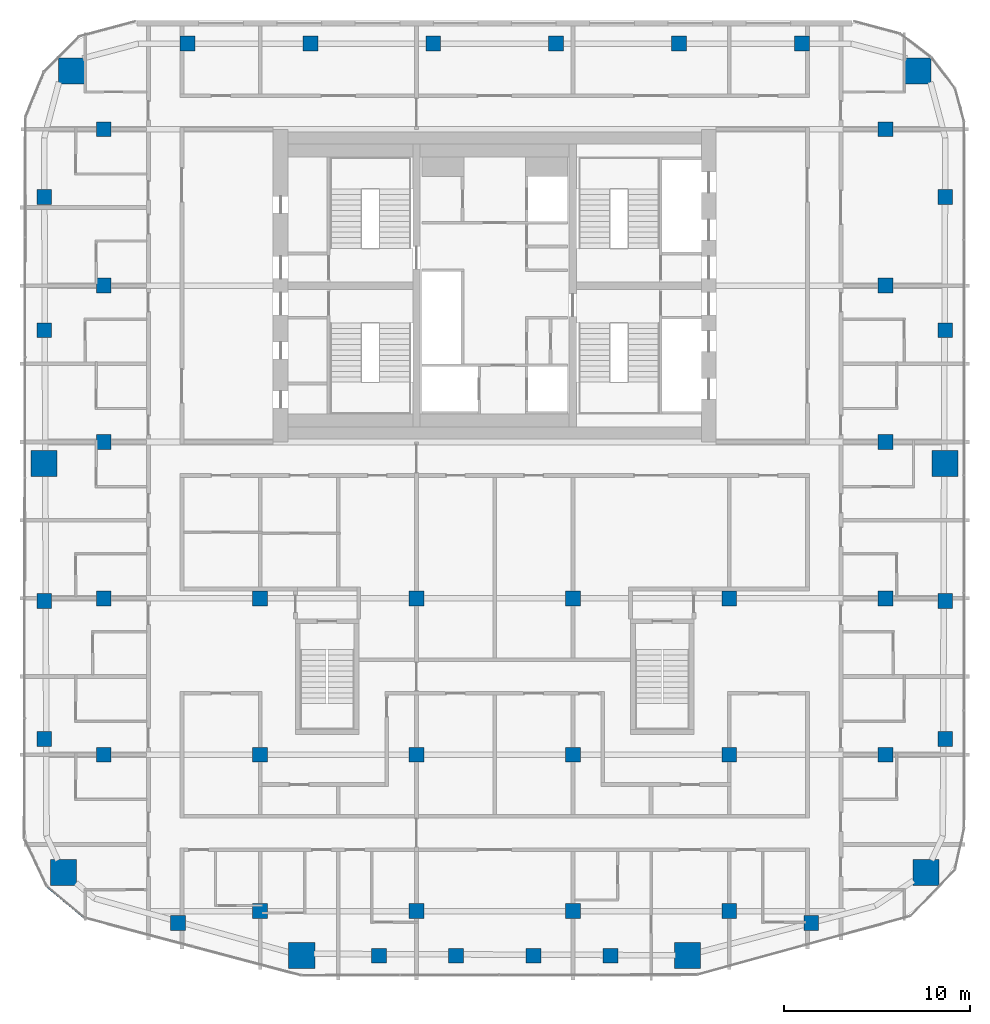
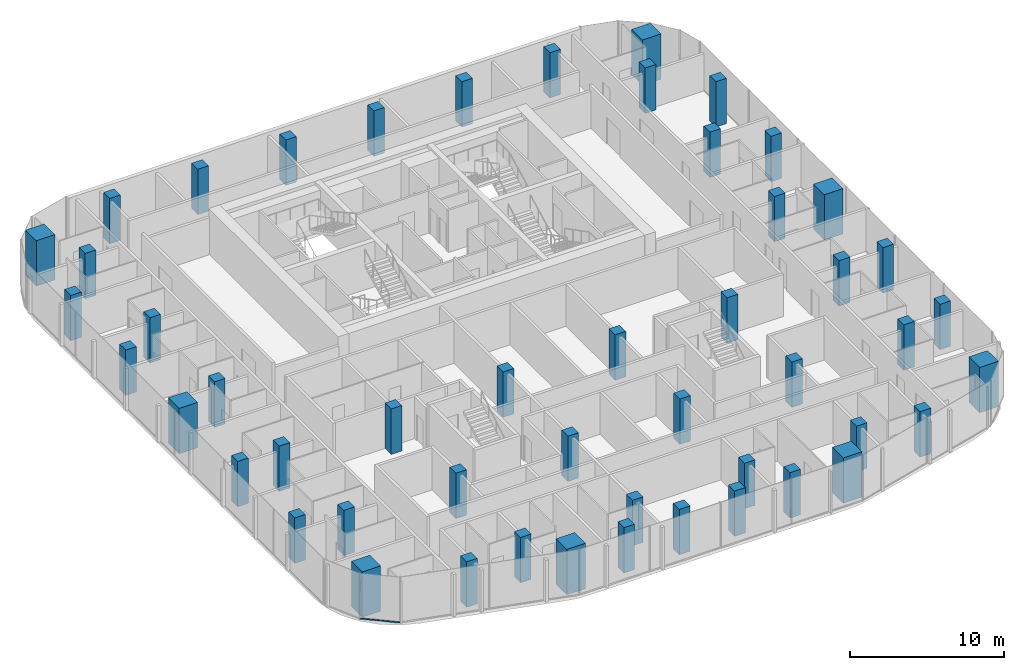
# One storey, part 1 of 22: 50 columns, 1 member, 1 element without a shape of its own.
"""IFC4 building model written with IfcOpenShell, lengths in metres."""

from ifc_helpers import new_model, si_unit, direction, frame, origin, origin_2d, place, context, subcontext, project, spatial, rectangle, extrude, material, layer, layer_set, material_profile, profile_set, type_object, element, aggregate, save


model = new_model("IFC4")

# Units and contexts
model_context = context("Model", 3, precision=1e-05, world=origin(), true_north=direction((0.0, 1.0)))
body_context = subcontext(model_context, "Body", "Model", "MODEL_VIEW")
ifc_project = project(units=[si_unit("LENGTHUNIT", "METRE"), si_unit("AREAUNIT", "SQUARE_METRE"), si_unit("VOLUMEUNIT", "CUBIC_METRE"), si_unit("PLANEANGLEUNIT", "RADIAN"), si_unit("MASSUNIT", "GRAM", prefix="KILO")], contexts=[model_context])

# Site, building, storey
site_placement = place(None, origin())
site = spatial("IfcSite", under=ifc_project, at=site_placement, CompositionType="ELEMENT")
building_placement = place(site_placement, origin())
building = spatial("IfcBuilding", under=site, at=building_placement, Name="Marenta Gate Hotel Tower", CompositionType="ELEMENT")
storey_placement = place(building_placement, frame((0.0, 0.0, 194.89990234375)))
storey = spatial("IfcBuildingStorey", under=building, at=storey_placement, Name="L44", CompositionType="ELEMENT", Elevation=194.89990234375)

# Columns
ifc_material_1 = material(Name="Concrete C60", Category="concrete")
ifc_material_profile_1 = material_profile(ifc_material_1, rectangle(XDim=0.800048828125, YDim=0.800048828125, at=origin_2d()), Name="800 x 800")
ifc_profile_set_1 = profile_set([ifc_material_profile_1], Name="Concrete C60")
column_type_1 = type_object("IfcColumnType", Name="Edge column 800 x 800 C60", PredefinedType="COLUMN", material=ifc_profile_set_1)
for number, where, z_axis, x_axis, name in (
    (1, (-24.199951171875, -15.951904296875, 0.0), (0.0, 0.0, 1.0), (1.0, 0.0, 0.0), "L44-EC-SW-W-1"),
    (2, (-24.199951171875, -8.55078125, 0.0), (0.0, 0.0, 1.0), (1.0, 0.0, 0.0), "L44-EC-SW-W-2"),
    (3, (-24.199951171875, 6.003173828125, 0.0), (0.0, 0.0, 1.0), (1.0, 0.0, 0.0), "L44-EC-W-NW-1"),
    (4, (-24.199951171875, 13.156494140625, 0.0), (0.0, 0.0, 1.0), (1.0, 0.0, 0.0), "L44-EC-W-NW-2"),
    (5, (-16.5068359375, 21.39990234375, 0.0), (0.0, 0.0, 1.0), (1.0, 0.0, 0.0), "L44-EC-NW-NE-1"),
    (6, (-9.904052734375, 21.39990234375, 0.0), (0.0, 0.0, 1.0), (1.0, 0.0, 0.0), "L44-EC-NW-NE-2"),
    (7, (-3.301513671875, 21.39990234375, 0.0), (0.0, 0.0, 1.0), (1.0, 0.0, 0.0), "L44-EC-NW-NE-3"),
    (8, (3.301513671875, 21.39990234375, 0.0), (0.0, 0.0, 1.0), (1.0, 0.0, 0.0), "L44-EC-NW-NE-4"),
    (9, (9.904052734375, 21.39990234375, 0.0), (0.0, 0.0, 1.0), (1.0, 0.0, 0.0), "L44-EC-NW-NE-5"),
    (10, (16.5068359375, 21.39990234375, 0.0), (0.0, 0.0, 1.0), (1.0, 0.0, 0.0), "L44-EC-NW-NE-6"),
    (11, (24.199951171875, 13.156494140625, 0.0), (0.0, 0.0, 1.0), (1.0, 0.0, 0.0), "L44-EC-NE-E-1"),
    (12, (24.199951171875, 6.003173828125, 0.0), (0.0, 0.0, 1.0), (1.0, 0.0, 0.0), "L44-EC-NE-E-2"),
    (13, (24.199951171875, -8.55078125, 0.0), (0.0, 0.0, 1.0), (1.0, 0.0, 0.0), "L44-EC-E-SE-1"),
    (14, (24.199951171875, -15.951904296875, 0.0), (0.0, 0.0, 1.0), (1.0, 0.0, 0.0), "L44-EC-E-SE-2"),
    (15, (17.0068359375, -25.839111328125, 0.0), (0.0, 0.0, 1.0), (1.0, 0.0, 0.0), "L44-EC-SE-SKE-1"),
    (16, (6.22021484375, -27.60009765625, 0.0), (0.0, 0.0, 1.0), (1.0, 0.0, 0.0), "L44-EC-SKE-SKW-1"),
    (17, (2.073486328125, -27.60009765625, 0.0), (0.0, 0.0, 1.0), (1.0, 0.0, 0.0), "L44-EC-SKE-SKW-2"),
    (18, (-2.073486328125, -27.60009765625, 0.0), (0.0, 0.0, 1.0), (1.0, 0.0, 0.0), "L44-EC-SKE-SKW-3"),
    (19, (-6.22021484375, -27.60009765625, 0.0), (0.0, 0.0, 1.0), (1.0, 0.0, 0.0), "L44-EC-SKE-SKW-4"),
    (20, (-17.0068359375, -25.839111328125, 0.0), (0.0, 0.0, 1.0), (1.0, 0.0, 0.0), "L44-EC-SKW-SW-1"),
):
    element("IfcColumn", number, at=place(storey_placement, frame(where, z_axis=z_axis, x_axis=x_axis)), inside=storey, type_object=column_type_1, Name=name, PredefinedType="COLUMN", context=body_context, shape_type="SweptSolid", body=[
        extrude(rectangle(XDim=0.800048828125, YDim=0.800048828125, at=origin_2d()), origin(), (0.0, 0.0, 1.0), 3.60009765625),
    ])
ifc_material_2 = material(Name="Concrete C60", Category="concrete")
ifc_material_profile_2 = material_profile(ifc_material_2, rectangle(XDim=0.800048828125, YDim=0.800048828125, at=origin_2d()), Name="800 x 800")
ifc_profile_set_2 = profile_set([ifc_material_profile_2], Name="Concrete C60")
column_type_2 = type_object("IfcColumnType", Name="Interior column 800 x 800 C60", PredefinedType="COLUMN", material=ifc_profile_set_2)
for number, where, z_axis, x_axis, name in (
    (21, (-21.0, -16.800048828125, 0.0), (0.0, 0.0, 1.0), (1.0, 0.0, 0.0), "L44-IC-4D"),
    (22, (-21.0, -8.39990234375, 0.0), (0.0, 0.0, 1.0), (1.0, 0.0, 0.0), "L44-IC-4E"),
    (23, (-21.0, 0.0, 0.0), (0.0, 0.0, 1.0), (1.0, 0.0, 0.0), "L44-IC-4F"),
    (24, (-21.0, 8.39990234375, 0.0), (0.0, 0.0, 1.0), (1.0, 0.0, 0.0), "L44-IC-4G"),
    (25, (-21.0, 16.800048828125, 0.0), (0.0, 0.0, 1.0), (1.0, 0.0, 0.0), "L44-IC-4H"),
    (26, (-12.60009765625, -25.199951171875, 0.0), (0.0, 0.0, 1.0), (1.0, 0.0, 0.0), "L44-IC-5C"),
    (27, (-12.60009765625, -16.800048828125, 0.0), (0.0, 0.0, 1.0), (1.0, 0.0, 0.0), "L44-IC-5D"),
    (28, (-12.60009765625, -8.39990234375, 0.0), (0.0, 0.0, 1.0), (1.0, 0.0, 0.0), "L44-IC-5E"),
    (29, (-4.199951171875, -25.199951171875, 0.0), (0.0, 0.0, 1.0), (1.0, 0.0, 0.0), "L44-IC-6C"),
    (30, (-4.199951171875, -16.800048828125, 0.0), (0.0, 0.0, 1.0), (1.0, 0.0, 0.0), "L44-IC-6D"),
    (31, (-4.199951171875, -8.39990234375, 0.0), (0.0, 0.0, 1.0), (1.0, 0.0, 0.0), "L44-IC-6E"),
    (32, (4.199951171875, -25.199951171875, 0.0), (0.0, 0.0, 1.0), (1.0, 0.0, 0.0), "L44-IC-7C"),
    (33, (4.199951171875, -16.800048828125, 0.0), (0.0, 0.0, 1.0), (1.0, 0.0, 0.0), "L44-IC-7D"),
    (34, (4.199951171875, -8.39990234375, 0.0), (0.0, 0.0, 1.0), (1.0, 0.0, 0.0), "L44-IC-7E"),
    (35, (12.60009765625, -25.199951171875, 0.0), (0.0, 0.0, 1.0), (1.0, 0.0, 0.0), "L44-IC-8C"),
    (36, (12.60009765625, -16.800048828125, 0.0), (0.0, 0.0, 1.0), (1.0, 0.0, 0.0), "L44-IC-8D"),
    (37, (12.60009765625, -8.39990234375, 0.0), (0.0, 0.0, 1.0), (1.0, 0.0, 0.0), "L44-IC-8E"),
    (38, (21.0, -16.800048828125, 0.0), (0.0, 0.0, 1.0), (1.0, 0.0, 0.0), "L44-IC-9D"),
    (39, (21.0, -8.39990234375, 0.0), (0.0, 0.0, 1.0), (1.0, 0.0, 0.0), "L44-IC-9E"),
    (40, (21.0, 0.0, 0.0), (0.0, 0.0, 1.0), (1.0, 0.0, 0.0), "L44-IC-9F"),
    (41, (21.0, 8.39990234375, 0.0), (0.0, 0.0, 1.0), (1.0, 0.0, 0.0), "L44-IC-9G"),
    (42, (21.0, 16.800048828125, 0.0), (0.0, 0.0, 1.0), (1.0, 0.0, 0.0), "L44-IC-9H"),
):
    element("IfcColumn", number, at=place(storey_placement, frame(where, z_axis=z_axis, x_axis=x_axis)), inside=storey, type_object=column_type_2, Name=name, PredefinedType="COLUMN", context=body_context, shape_type="SweptSolid", body=[
        extrude(rectangle(XDim=0.800048828125, YDim=0.800048828125, at=origin_2d()), origin(), (0.0, 0.0, 1.0), 3.60009765625),
    ])
ifc_material_3 = material(Name="Concrete C60", Category="concrete")
ifc_material_profile_3 = material_profile(ifc_material_3, rectangle(XDim=1.39990234375, YDim=1.39990234375, at=origin_2d()), Name="1400 x 1400")
ifc_profile_set_3 = profile_set([ifc_material_profile_3], Name="Concrete C60")
column_type_3 = type_object("IfcColumnType", Name="Mega column 1400 x 1400 C60", PredefinedType="COLUMN", material=ifc_profile_set_3)
for number, where, z_axis, x_axis, name in (
    (43, (-23.1630859375, -23.133056640625, 0.0), (0.0, 0.0, 1.0), (1.0, 0.0, 0.0), "L44-MC-SW"),
    (44, (-10.3662109375, -27.57470703125, 0.0), (0.0, 0.0, 1.0), (1.0, 0.0, 0.0), "L44-MC-SKW"),
    (45, (10.3662109375, -27.57470703125, 0.0), (0.0, 0.0, 1.0), (1.0, 0.0, 0.0), "L44-MC-SKE"),
    (46, (23.1630859375, -23.133056640625, 0.0), (0.0, 0.0, 1.0), (1.0, 0.0, 0.0), "L44-MC-SE"),
    (47, (24.199951171875, -1.14990234375, 0.0), (0.0, 0.0, 1.0), (1.0, 0.0, 0.0), "L44-MC-E"),
    (48, (22.735595703125, 19.935546875, 0.0), (0.0, 0.0, 1.0), (1.0, 0.0, 0.0), "L44-MC-NE"),
    (49, (-22.735595703125, 19.935546875, 0.0), (0.0, 0.0, 1.0), (1.0, 0.0, 0.0), "L44-MC-NW"),
    (50, (-24.199951171875, -1.14990234375, 0.0), (0.0, 0.0, 1.0), (1.0, 0.0, 0.0), "L44-MC-W"),
):
    element("IfcColumn", number, at=place(storey_placement, frame(where, z_axis=z_axis, x_axis=x_axis)), inside=storey, type_object=column_type_3, Name=name, PredefinedType="COLUMN", context=body_context, shape_type="SweptSolid", body=[
        extrude(rectangle(XDim=1.39990234375, YDim=1.39990234375, at=origin_2d()), origin(), (0.0, 0.0, 1.0), 3.60009765625),
    ])

# Curtain wall, member
ifc_material_4 = material(Name="Tinted insulated glass in bronze anodised frame", Category="glass")
ifc_layer = layer(ifc_material_4, 0.1201171875)
ifc_layer_set = layer_set([ifc_layer], Name="Tinted insulated glass in bronze anodised frame")
curtain_wall_type = type_object("IfcCurtainWallType", Name="Tower unitised curtain wall CW1", PredefinedType="NOTDEFINED", material=ifc_layer_set)
curtain_wall_placement = place(storey_placement, origin())
curtain_wall = element("IfcCurtainWall", 51, at=curtain_wall_placement, inside=storey, type_object=curtain_wall_type, Name="CW1 run G05", PredefinedType="NOTDEFINED")
ifc_material_5 = material(Name="Bronze anodised aluminium", Category="aluminium")
ifc_material_profile_4 = material_profile(ifc_material_5, rectangle(XDim=0.1201171875, YDim=0.06005859375, at=origin_2d()), Name="Transom CW1 60x120 bronze anodised aluminium")
ifc_profile_set_4 = profile_set([ifc_material_profile_4], Name="Bronze anodised aluminium")
member_type = type_object("IfcMemberType", Name="Transom CW1 60x120 bronze anodised aluminium", PredefinedType="USERDEFINED", material=ifc_profile_set_4)
member_placement = place(storey_placement, frame((-24.036865234375, -23.879150390625, 0.030029296875), z_axis=(0.767100312603, -0.641527170433, 0.0), x_axis=(0.641527170433, 0.767100312603, 0.0)))
member = element("IfcMember", 52, at=member_placement, type_object=member_type, Name="CW1 transom 1.1", ObjectType="TRANSOM", PredefinedType="USERDEFINED", context=body_context, shape_type="SweptSolid", body=[
    extrude(rectangle(XDim=0.1201171875, YDim=0.06005859375, at=origin_2d()), origin(), (0.0, 0.0, 1.0), 2.609130859375),
])
aggregate(curtain_wall, [member])

save(model, "model.ifc")
